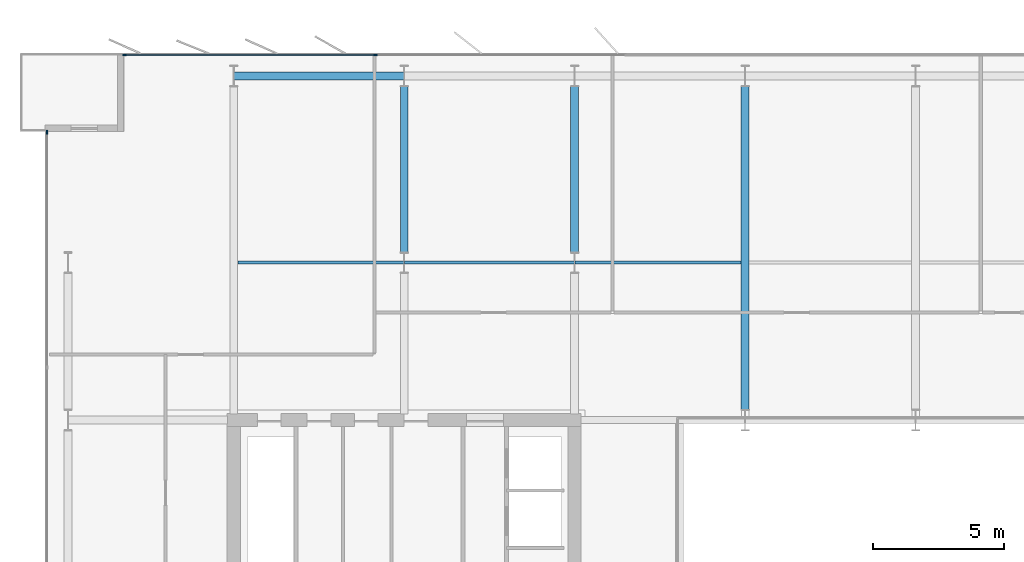
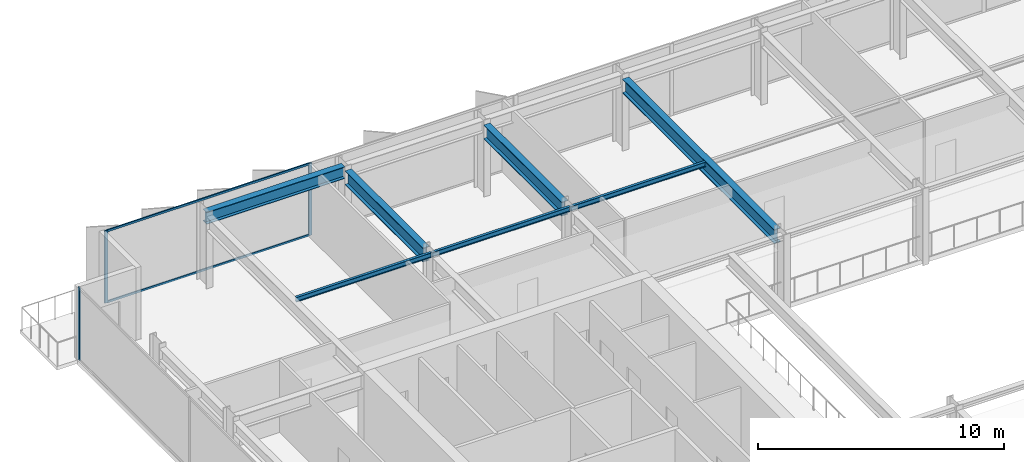
# One storey, part 10 of 23: 7 beams, 5 members, 2 elements without a shape of their own.
"""IFC4 building model written with IfcOpenShell, lengths in metres."""

from ifc_helpers import new_model, si_unit, direction, frame, origin, origin_2d, place, context, subcontext, project, spatial, rectangle, i_section, extrude, material, layer, layer_set, material_profile, profile_set, type_object, element, aggregate, save


model = new_model("IFC4")

# Units and contexts
model_context = context("Model", 3, precision=1e-05, world=origin(), true_north=direction((0.0, 1.0)))
body_context = subcontext(model_context, "Body", "Model", "MODEL_VIEW")
ifc_project = project(units=[si_unit("LENGTHUNIT", "METRE"), si_unit("AREAUNIT", "SQUARE_METRE"), si_unit("VOLUMEUNIT", "CUBIC_METRE"), si_unit("PLANEANGLEUNIT", "RADIAN"), si_unit("MASSUNIT", "GRAM", prefix="KILO")], contexts=[model_context])

# Site, building, storey
site_placement = place(None, origin())
site = spatial("IfcSite", under=ifc_project, at=site_placement, CompositionType="ELEMENT")
building_placement = place(site_placement, origin())
building = spatial("IfcBuilding", under=site, at=building_placement, Name="Putna Gate Headquarters", CompositionType="ELEMENT")
storey_placement = place(building_placement, frame((0.0, 0.0, 213.800048828125)))
storey = spatial("IfcBuildingStorey", under=building, at=storey_placement, Name="L53", CompositionType="ELEMENT", Elevation=213.800048828125)

# Beams
ifc_material_1 = material(Name="Steel S355J2", Category="steel")
ifc_material_profile_1 = material_profile(ifc_material_1, i_section(OverallWidth=0.300048828125, OverallDepth=0.699951171875, WebThickness=0.01708984375, FlangeThickness=0.031982421875, at=origin_2d()), Name="Steel S355J2")
ifc_profile_set_1 = profile_set([ifc_material_profile_1], Name="Steel S355J2")
beam_type_1 = type_object("IfcBeamType", Name="BM-GIRD-B-HEB700", PredefinedType="USERDEFINED", material=ifc_profile_set_1)
for number, where, z_axis, x_axis, name in (
    (1, (19.5, 39.39501953125, 3.22998046875), (0.0, 1.0, 0.0), (-1.0, 0.0, 0.0), "L53 North Primary Girder X19-2"),
    (2, (26.0, 39.39501953125, 3.22998046875), (0.0, 1.0, 0.0), (-1.0, 0.0, 0.0), "L53 North Primary Girder X26-2"),
):
    element("IfcBeam", number, at=place(storey_placement, frame(where, z_axis=z_axis, x_axis=x_axis)), inside=storey, type_object=beam_type_1, Name=name, ObjectType="GIRDER", PredefinedType="USERDEFINED", context=body_context, shape_type="SweptSolid", body=[
        extrude(i_section(OverallWidth=0.300048828125, OverallDepth=0.699951171875, WebThickness=0.01708984375, FlangeThickness=0.031982421875, at=origin_2d()), origin(), (0.0, 0.0, 1.0), 6.330078125),
    ])
beam_1_placement = place(storey_placement, frame((32.5, 33.39501953125, 3.22998046875), z_axis=(0.0, 1.0, 0.0), x_axis=(-1.0, 0.0, 0.0)))
element("IfcBeam", 3, at=beam_1_placement, inside=storey, type_object=beam_type_1, Name="L53 North Primary Girder X32", ObjectType="GIRDER", PredefinedType="USERDEFINED", context=body_context, shape_type="SweptSolid", body=[
    extrude(i_section(OverallWidth=0.300048828125, OverallDepth=0.699951171875, WebThickness=0.01708984375, FlangeThickness=0.031982421875, at=origin_2d()), origin(), (0.0, 0.0, 1.0), 12.330078125),
])
ifc_material_profile_2 = material_profile(ifc_material_1, i_section(OverallWidth=0.1201171875, OverallDepth=0.239990234375, WebThickness=0.006103515625, FlangeThickness=0.009765625, at=origin_2d()), Name="Steel S355J2")
ifc_profile_set_2 = profile_set([ifc_material_profile_2], Name="Steel S355J2")
beam_type_2 = type_object("IfcBeamType", Name="BM-SEC-Z4-IPE240", PredefinedType="JOIST", material=ifc_profile_set_2)
beam_2_placement = place(storey_placement, frame((13.154052734375, 39.0, 3.4599609375), z_axis=(1.0, 0.0, 0.0), x_axis=(0.0, 1.0, 0.0)))
element("IfcBeam", 4, at=beam_2_placement, inside=storey, type_object=beam_type_2, Name="L53 North Secondary Beam 1", PredefinedType="JOIST", context=body_context, shape_type="SweptSolid", body=[
    extrude(i_section(OverallWidth=0.1201171875, OverallDepth=0.239990234375, WebThickness=0.006103515625, FlangeThickness=0.009765625, at=origin_2d()), origin(), (0.0, 0.0, 1.0), 6.33984375),
])
beam_3_placement = place(storey_placement, frame((19.506103515625, 39.0, 3.4599609375), z_axis=(1.0, 0.0, 0.0), x_axis=(0.0, 1.0, 0.0)))
element("IfcBeam", 5, at=beam_3_placement, inside=storey, type_object=beam_type_2, Name="L53 North Secondary Beam 2", PredefinedType="JOIST", context=body_context, shape_type="SweptSolid", body=[
    extrude(i_section(OverallWidth=0.1201171875, OverallDepth=0.239990234375, WebThickness=0.006103515625, FlangeThickness=0.009765625, at=origin_2d()), origin(), (0.0, 0.0, 1.0), 6.48779296875),
])
beam_4_placement = place(storey_placement, frame((26.006103515625, 39.0, 3.4599609375), z_axis=(1.0, 0.0, 0.0), x_axis=(0.0, 1.0, 0.0)))
element("IfcBeam", 6, at=beam_4_placement, inside=storey, type_object=beam_type_2, Name="L53 North Secondary Beam 3", PredefinedType="JOIST", context=body_context, shape_type="SweptSolid", body=[
    extrude(i_section(OverallWidth=0.1201171875, OverallDepth=0.239990234375, WebThickness=0.006103515625, FlangeThickness=0.009765625, at=origin_2d()), origin(), (0.0, 0.0, 1.0), 6.33984375),
])
ifc_material_profile_3 = material_profile(ifc_material_1, i_section(OverallWidth=0.300048828125, OverallDepth=0.590087890625, WebThickness=0.012939453125, FlangeThickness=0.02490234375, at=origin_2d()), Name="Steel S355J2")
ifc_profile_set_3 = profile_set([ifc_material_profile_3], Name="Steel S355J2")
beam_type_3 = type_object("IfcBeamType", Name="BM-SPAN-Z4-HEA600", PredefinedType="SPANDREL", material=ifc_profile_set_3)
beam_5_placement = place(storey_placement, frame((13.006103515625, 46.1201171875, 3.284912109375), z_axis=(1.0, 0.0, 0.0), x_axis=(0.0, 1.0, 0.0)))
element("IfcBeam", 7, at=beam_5_placement, inside=storey, type_object=beam_type_3, Name="L53 N Perimeter Spandrel 1", PredefinedType="SPANDREL", context=body_context, shape_type="SweptSolid", body=[
    extrude(i_section(OverallWidth=0.300048828125, OverallDepth=0.590087890625, WebThickness=0.012939453125, FlangeThickness=0.02490234375, at=origin_2d()), origin(), (0.0, 0.0, 1.0), 6.48779296875),
])

# Curtain wall, members
ifc_material_2 = material(Name="Anodised bronze aluminium curtain wall", Category="aluminium")
ifc_layer = layer(ifc_material_2, 0.139892578125)
ifc_layer_set = layer_set([ifc_layer], Name="Anodised bronze aluminium curtain wall")
curtain_wall_type = type_object("IfcCurtainWallType", Name="CW-SYS-Z4", PredefinedType="USERDEFINED", material=ifc_layer_set)
curtain_wall_1_placement = place(storey_placement, origin())
curtain_wall_1 = element("IfcCurtainWall", 8, at=curtain_wall_1_placement, inside=storey, type_object=curtain_wall_type, Name="L53 North West Curtain Wall", ObjectType="STICK CURTAIN WALL", PredefinedType="USERDEFINED")
ifc_material_3 = material(Name="Anodised bronze aluminium EN AW-6060", Category="aluminium")
ifc_material_profile_4 = material_profile(ifc_material_3, rectangle(XDim=0.06005859375, YDim=0.139892578125, at=origin_2d()), Name="Anodised bronze aluminium EN AW-6060")
ifc_profile_set_4 = profile_set([ifc_material_profile_4], Name="Anodised bronze aluminium EN AW-6060")
member_type_1 = type_object("IfcMemberType", Name="MULL-CWM-4", PredefinedType="MULLION", material=ifc_profile_set_4)
member_1_placement = place(storey_placement, frame((8.830078125, 46.919921875, 0.0), z_axis=(0.0, 0.0, 1.0), x_axis=(0.0, 1.0, 0.0)))
member_1 = element("IfcMember", 9, at=member_1_placement, type_object=member_type_1, Name="CWS-4 mullion 1", PredefinedType="MULLION", context=body_context, shape_type="SweptSolid", body=[
    extrude(rectangle(XDim=0.06005859375, YDim=0.139892578125, at=origin_2d()), origin(), (0.0, 0.0, 1.0), 3.579833984375),
])
member_2_placement = place(storey_placement, frame((18.39990234375, 46.919921875, 0.0), z_axis=(0.0, 0.0, 1.0), x_axis=(0.0, 1.0, 0.0)))
member_2 = element("IfcMember", 10, at=member_2_placement, type_object=member_type_1, Name="CWS-4 mullion 2", PredefinedType="MULLION", context=body_context, shape_type="SweptSolid", body=[
    extrude(rectangle(XDim=0.06005859375, YDim=0.139892578125, at=origin_2d()), origin(), (0.0, 0.0, 1.0), 3.579833984375),
])

# Curtain wall, member
curtain_wall_2_placement = place(storey_placement, origin())
curtain_wall_2 = element("IfcCurtainWall", 11, at=curtain_wall_2_placement, inside=storey, type_object=curtain_wall_type, Name="L53 West Curtain Wall", ObjectType="STICK CURTAIN WALL", PredefinedType="USERDEFINED")
member_3_placement = place(storey_placement, frame((5.8798828125, 43.969970703125, 0.0), z_axis=(0.0, 0.0, 1.0), x_axis=(-1.0, 0.0, 0.0)))
member_3 = element("IfcMember", 12, at=member_3_placement, type_object=member_type_1, Name="CWS-4 mullion 5", PredefinedType="MULLION", context=body_context, shape_type="SweptSolid", body=[
    extrude(rectangle(XDim=0.06005859375, YDim=0.139892578125, at=origin_2d()), origin(), (0.0, 0.0, 1.0), 3.579833984375),
])
aggregate(curtain_wall_2, [member_3])

# Member
ifc_material_profile_5 = material_profile(ifc_material_3, rectangle(XDim=0.06005859375, YDim=0.10009765625, at=origin_2d()), Name="Anodised bronze aluminium EN AW-6060")
ifc_profile_set_5 = profile_set([ifc_material_profile_5], Name="Anodised bronze aluminium EN AW-6060")
member_type_2 = type_object("IfcMemberType", Name="TRAN-CWT-4", PredefinedType="USERDEFINED", material=ifc_profile_set_5)
member_4_placement = place(storey_placement, frame((8.860107421875, 46.919921875, 0.030029296875), z_axis=(1.0, 0.0, 0.0), x_axis=(0.0, 1.0, 0.0)))
member_4 = element("IfcMember", 13, at=member_4_placement, type_object=member_type_2, Name="CWS-4 transom 1.1", ObjectType="TRANSOM", PredefinedType="USERDEFINED", context=body_context, shape_type="SweptSolid", body=[
    extrude(rectangle(XDim=0.06005859375, YDim=0.10009765625, at=origin_2d()), origin(), (0.0, 0.0, 1.0), 9.510009765625),
])

member_5_placement = place(storey_placement, frame((8.860107421875, 46.919921875, 3.550048828125), z_axis=(1.0, 0.0, 0.0), x_axis=(0.0, 1.0, 0.0)))
member_5 = element("IfcMember", 14, at=member_5_placement, type_object=member_type_2, Name="CWS-4 transom 1.2", ObjectType="TRANSOM", PredefinedType="USERDEFINED", context=body_context, shape_type="SweptSolid", body=[
    extrude(rectangle(XDim=0.06005859375, YDim=0.10009765625, at=origin_2d()), origin(), (0.0, 0.0, 1.0), 9.510009765625),
])

aggregate(curtain_wall_1, [member_1, member_2, member_4, member_5])

save(model, "model.ifc")
